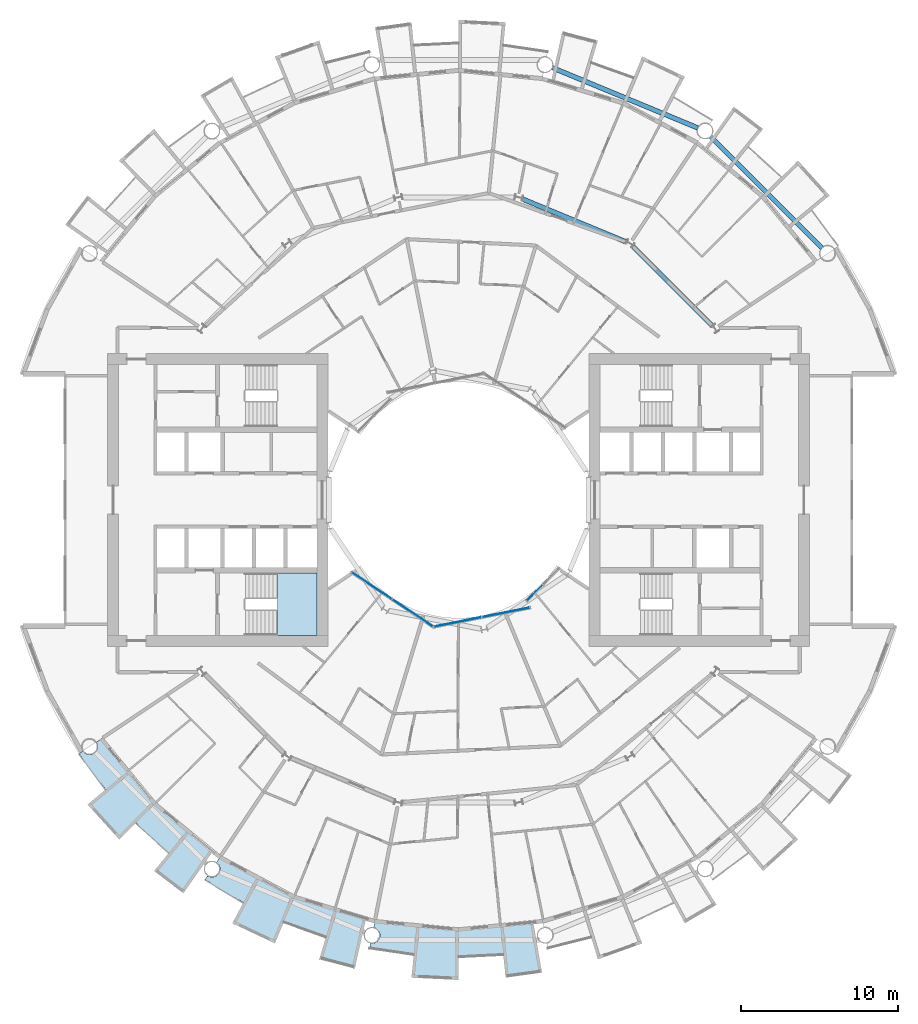
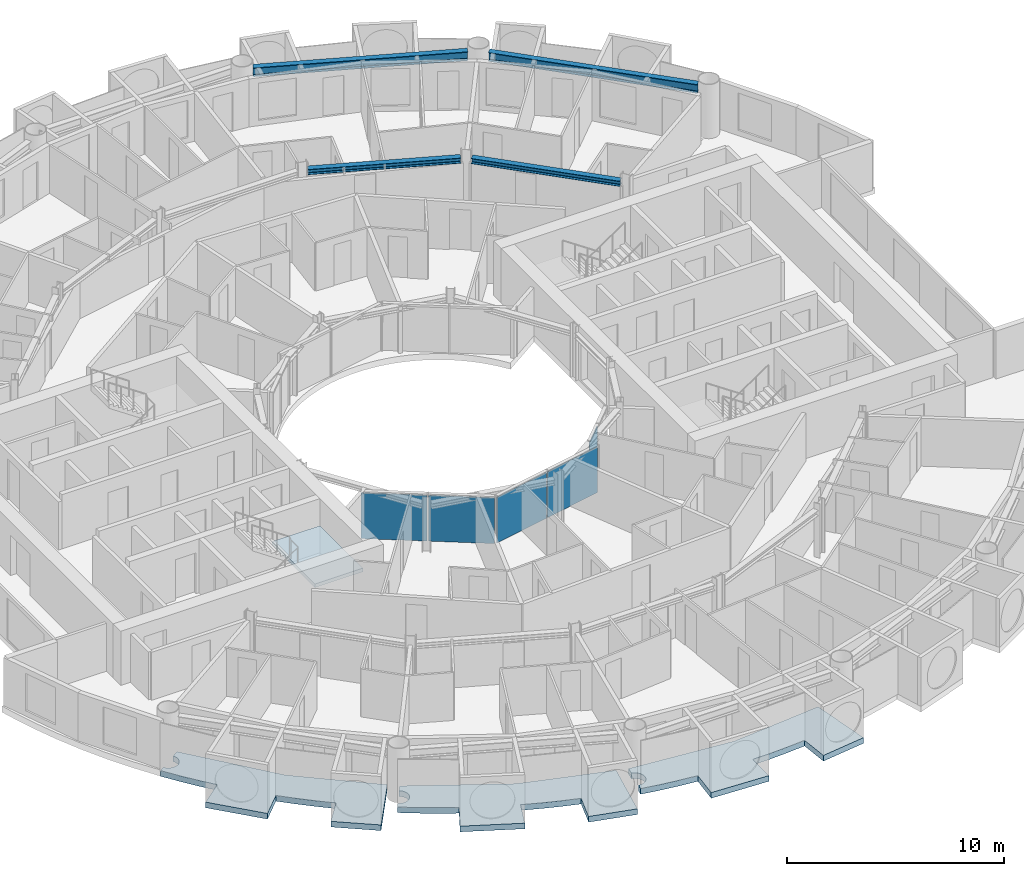
# One storey, part 9 of 26: 5 plates, 4 beams, 4 slabs, 4 elements without a shape of their own.
"""IFC4 building model written with IfcOpenShell, lengths in metres."""

from ifc_helpers import new_model, si_unit, direction, frame, origin, origin_2d, place, context, subcontext, project, spatial, polyline, rectangle, i_section, outline, extrude, material, layer, layer_set, material_profile, profile_set, type_object, element, aggregate, save


model = new_model("IFC4")

# Units and contexts
model_context = context("Model", 3, precision=1e-05, world=origin(), true_north=direction((0.0, 1.0)))
body_context = subcontext(model_context, "Body", "Model", "MODEL_VIEW")
ifc_project = project(units=[si_unit("LENGTHUNIT", "METRE"), si_unit("AREAUNIT", "SQUARE_METRE"), si_unit("VOLUMEUNIT", "CUBIC_METRE"), si_unit("PLANEANGLEUNIT", "RADIAN"), si_unit("MASSUNIT", "GRAM", prefix="KILO")], contexts=[model_context])

# Site, building, storey
site_placement = place(None, origin())
site = spatial("IfcSite", under=ifc_project, at=site_placement, CompositionType="ELEMENT")
building_placement = place(site_placement, origin())
building = spatial("IfcBuilding", under=site, at=building_placement, Name="Maasbend Ring Residences", CompositionType="ELEMENT")
storey_placement = place(building_placement, frame((0.0, 0.0, 63.60009765625)))
storey = spatial("IfcBuildingStorey", under=building, at=storey_placement, Name="L17", CompositionType="ELEMENT", Elevation=63.60009765625)

# Beams
ifc_material_1 = material(Name="Steel S355J2", Category="steel")
ifc_material_profile_1 = material_profile(ifc_material_1, i_section(OverallWidth=0.300048828125, OverallDepth=0.300048828125, WebThickness=0.010986328125, FlangeThickness=0.01904296875, FilletRadius=0.027099609375, at=origin_2d()), Name="HEB 300")
ifc_profile_set_1 = profile_set([ifc_material_profile_1], Name="Steel S355J2")
beam_type_1 = type_object("IfcBeamType", Name="Corridor ring beam HEB 300", PredefinedType="BEAM", material=ifc_profile_set_1)
for number, where, z_axis, x_axis, name in (
    (1, (16.10791015625, 11.078125, 2.5498046875), (-0.707106781187, 0.707106781187, 0.0), (-0.707106781187, -0.707106781187, 0.0), "Corridor ring beam"),
    (2, (10.642333984375, 16.39892578125, 2.5498046875), (-0.923877113721, 0.382689271788, 0.0), (-0.382689271788, -0.923877113721, 0.0), "Corridor ring beam"),
):
    element("IfcBeam", number, at=place(storey_placement, frame(where, z_axis=z_axis, x_axis=x_axis)), inside=storey, type_object=beam_type_1, Name=name, PredefinedType="BEAM", context=body_context, shape_type="SweptSolid", body=[
        extrude(i_section(OverallWidth=0.300048828125, OverallDepth=0.300048828125, WebThickness=0.010986328125, FlangeThickness=0.01904296875, FilletRadius=0.027099609375, at=origin_2d()), origin(), (0.0, 0.0, 1.0), 7.11328125),
    ])
ifc_material_2 = material(Name="Steel S355J2", Category="steel")
ifc_material_profile_2 = material_profile(ifc_material_2, i_section(OverallWidth=0.300048828125, OverallDepth=0.5, WebThickness=0.014404296875, FlangeThickness=0.028076171875, FilletRadius=0.027099609375, at=origin_2d()), Name="HEB 500")
ifc_profile_set_2 = profile_set([ifc_material_profile_2], Name="Steel S355J2")
beam_type_2 = type_object("IfcBeamType", Name="Spandrel ring beam HEB 500", PredefinedType="SPANDREL", material=ifc_profile_set_2)
beam_1_placement = place(storey_placement, frame((23.088134765625, 16.0263671875, 2.449951171875), z_axis=(-0.707106781187, 0.707106781187, 0.0), x_axis=(-0.707106781187, -0.707106781187, 0.0)))
element("IfcBeam", 3, at=beam_1_placement, inside=storey, type_object=beam_type_2, Name="Spandrel ring beam", PredefinedType="SPANDREL", context=body_context, shape_type="SweptSolid", body=[
    extrude(i_section(OverallWidth=0.300048828125, OverallDepth=0.5, WebThickness=0.014404296875, FlangeThickness=0.028076171875, FilletRadius=0.027099609375, at=origin_2d()), origin(), (0.0, 0.0, 1.0), 9.98681640625),
])
beam_2_placement = place(storey_placement, frame((15.19775390625, 23.641845703125, 2.449951171875), z_axis=(-0.923886337442, 0.382667003395, 0.0), x_axis=(-0.382667003395, -0.923886337442, 0.0)))
element("IfcBeam", 4, at=beam_2_placement, inside=storey, type_object=beam_type_2, Name="Spandrel ring beam", PredefinedType="SPANDREL", context=body_context, shape_type="SweptSolid", body=[
    extrude(i_section(OverallWidth=0.300048828125, OverallDepth=0.5, WebThickness=0.014404296875, FlangeThickness=0.028076171875, FilletRadius=0.027099609375, at=origin_2d()), origin(), (0.0, 0.0, 1.0), 9.9873046875),
])

# Stair, slab
ifc_material_3 = material(Name="Concrete C40/50", Category="concrete")
stair_type = type_object("IfcStairType", Name="CORE STAIR 18 RISERS", PredefinedType="HALF_TURN_STAIR", material=ifc_material_3)
stair_placement = place(storey_placement, origin())
stair = element("IfcStair", 5, at=stair_placement, inside=storey, type_object=stair_type, Name="L17 Exit stair ST-W1", PredefinedType="HALF_TURN_STAIR")
ifc_material_4 = material(Name="Concrete C40/50", Category="concrete")
ifc_layer_1 = layer(ifc_material_4, 0.199951171875)
ifc_layer_set_1 = layer_set([ifc_layer_1], Name="Concrete C40/50")
slab_type_1 = type_object("IfcSlabType", Name="CORE STAIR LANDING 200", PredefinedType="LANDING", material=ifc_layer_set_1)
slab_1_placement = place(storey_placement, frame((0.0, 0.0, 1.324951171875)))
slab_1 = element("IfcSlab", 6, at=slab_1_placement, type_object=slab_type_1, Name="ST-W1 landing 1", PredefinedType="LANDING", context=body_context, shape_type="SweptSolid", body=[
    extrude(outline(polyline([(-11.550048828125, -8.60009765625), (-9.0, -8.60009765625), (-9.0, -4.64990234375), (-11.550048828125, -4.64990234375), (-11.550048828125, -8.60009765625)])), origin(), (0.0, 0.0, 1.0), 0.199951171875),
])
aggregate(stair, [slab_1])

# Curtain wall, plates
ifc_material_5 = material(Name="Aluminium and clear glass", Category="aluminium")
ifc_layer_2 = layer(ifc_material_5, 0.179931640625)
ifc_layer_set_2 = layer_set([ifc_layer_2], Name="CW-W")
curtain_wall_type = type_object("IfcCurtainWallType", Name="CW-W", PredefinedType="NOTDEFINED", material=ifc_layer_set_2)
curtain_wall_1_placement = place(storey_placement, origin())
curtain_wall_1 = element("IfcCurtainWall", 7, at=curtain_wall_1_placement, inside=storey, type_object=curtain_wall_type, Name="Well curtain wall S1", PredefinedType="NOTDEFINED")
ifc_material_6 = material(Name="Glass clear laminated", Category="glass")
ifc_layer_3 = layer(ifc_material_6, 0.031982421875)
ifc_layer_set_3 = layer_set([ifc_layer_3], Name="CWP-W")
plate_type = type_object("IfcPlateType", Name="CWP-W", PredefinedType="CURTAIN_PANEL", material=ifc_layer_set_3)
plate_1_placement = place(storey_placement, frame((-5.51123046875, -5.44580078125, -0.000244140625), z_axis=(0.0, 0.0, 1.0), x_axis=(0.831469612303, -0.55557023302, 0.0)))
plate_1 = element("IfcPlate", 8, at=plate_1_placement, type_object=plate_type, Name="Glass panel well face", PredefinedType="CURTAIN_PANEL", context=body_context, shape_type="SweptSolid", body=[
    extrude(rectangle(XDim=3.053955078125, YDim=0.031982421875, at=origin_2d()), origin(), (0.0, 0.0, 1.0), 2.580078125),
])
plate_2_placement = place(storey_placement, frame((-2.922119140625, -7.17578125, -0.000244140625), z_axis=(0.0, 0.0, 1.0), x_axis=(0.831469612303, -0.55557023302, 0.0)))
plate_2 = element("IfcPlate", 9, at=plate_2_placement, type_object=plate_type, Name="Glass panel well face", PredefinedType="CURTAIN_PANEL", context=body_context, shape_type="SweptSolid", body=[
    extrude(rectangle(XDim=3.053955078125, YDim=0.031982421875, at=origin_2d()), origin(), (0.0, 0.0, 1.0), 2.580078125),
])
aggregate(curtain_wall_1, [plate_1, plate_2])

curtain_wall_2_placement = place(storey_placement, origin())
curtain_wall_2 = element("IfcCurtainWall", 10, at=curtain_wall_2_placement, inside=storey, type_object=curtain_wall_type, Name="Well curtain wall S2", PredefinedType="NOTDEFINED")
plate_3_placement = place(storey_placement, frame((-0.04638671875, -7.747802734375, -0.000244140625), z_axis=(0.0, 0.0, 1.0), x_axis=(0.980785280403, 0.195090322016, 0.0)))
plate_3 = element("IfcPlate", 11, at=plate_3_placement, type_object=plate_type, Name="Glass panel well face", PredefinedType="CURTAIN_PANEL", context=body_context, shape_type="SweptSolid", body=[
    extrude(rectangle(XDim=3.053955078125, YDim=0.031982421875, at=origin_2d()), origin(), (0.0, 0.0, 1.0), 2.580078125),
])
plate_4_placement = place(storey_placement, frame((3.0078125, -7.140380859375, -0.000244140625), z_axis=(0.0, 0.0, 1.0), x_axis=(0.980785280403, 0.195090322016, 0.0)))
plate_4 = element("IfcPlate", 12, at=plate_4_placement, type_object=plate_type, Name="Glass panel well face", PredefinedType="CURTAIN_PANEL", context=body_context, shape_type="SweptSolid", body=[
    extrude(rectangle(XDim=3.053955078125, YDim=0.031982421875, at=origin_2d()), origin(), (0.0, 0.0, 1.0), 2.580078125),
])
aggregate(curtain_wall_2, [plate_3, plate_4])

# Curtain wall, plate
curtain_wall_3_placement = place(storey_placement, origin())
curtain_wall_3 = element("IfcCurtainWall", 13, at=curtain_wall_3_placement, inside=storey, type_object=curtain_wall_type, Name="Well curtain wall S3", PredefinedType="NOTDEFINED")
plate_5_placement = place(storey_placement, frame((4.84375, -5.89013671875, -0.000244140625), z_axis=(0.0, 0.0, 1.0), x_axis=(0.707106781187, 0.707106781187, 0.0)))
plate_5 = element("IfcPlate", 14, at=plate_5_placement, type_object=plate_type, Name="Glass panel well face", PredefinedType="CURTAIN_PANEL", context=body_context, shape_type="SweptSolid", body=[
    extrude(rectangle(XDim=1.419677734375, YDim=0.031982421875, at=origin_2d()), origin(), (0.0, 0.0, 1.0), 2.580078125),
])
aggregate(curtain_wall_3, [plate_5])

# Slabs
ifc_material_7 = material(Name="Concrete C40/50", Category="concrete")
ifc_layer_4 = layer(ifc_material_7, 0.199951171875)
ifc_layer_set_4 = layer_set([ifc_layer_4], Name="Concrete C40/50")
slab_type_2 = type_object("IfcSlabType", Name="SL-LOGGIA", PredefinedType="FLOOR", material=ifc_layer_set_4)
slab_2_placement = place(storey_placement, frame((0.0, 0.0, -0.35009765625)))
element("IfcSlab", 15, at=slab_2_placement, inside=storey, type_object=slab_type_2, Name="Loggia floor 1", PredefinedType="FLOOR", context=body_context, shape_type="SweptSolid", body=[
    extrude(outline(polyline([(-15.9169921875, -23.888916015625), (-15.906982421875, -23.89501953125), (-15.89599609375, -23.90087890625), (-15.884033203125, -23.906982421875), (-15.873046875, -23.912109375), (-15.862060546875, -23.9169921875), (-15.85009765625, -23.9208984375), (-15.837890625, -23.926025390625), (-15.825927734375, -23.929931640625), (-15.81494140625, -23.93408203125), (-15.802978515625, -23.93701171875), (-15.791015625, -23.93994140625), (-15.778076171875, -23.943115234375), (-15.76611328125, -23.946044921875), (-15.75390625, -23.947998046875), (-15.741943359375, -23.949951171875), (-15.72900390625, -23.951904296875), (-15.717041015625, -23.952880859375), (-15.7041015625, -23.9541015625), (-15.69189453125, -23.955078125), (-15.679931640625, -23.955078125), (-15.6669921875, -23.955078125), (-15.655029296875, -23.955078125), (-15.64208984375, -23.955078125), (-15.6298828125, -23.9541015625), (-15.616943359375, -23.952880859375), (-15.60498046875, -23.951904296875), (-15.593017578125, -23.949951171875), (-15.580078125, -23.947998046875), (-15.568115234375, -23.946044921875), (-15.555908203125, -23.943115234375), (-15.5439453125, -23.93994140625), (-15.531982421875, -23.93701171875), (-15.52001953125, -23.93408203125), (-15.508056640625, -23.929931640625), (-15.49609375, -23.926025390625), (-15.48388671875, -23.9208984375), (-15.472900390625, -23.9169921875), (-15.4609375, -23.912109375), (-15.449951171875, -23.906982421875), (-15.43896484375, -23.90087890625), (-15.427978515625, -23.89501953125), (-15.4169921875, -23.888916015625), (-15.406005859375, -23.883056640625), (-15.39501953125, -23.876953125), (-15.385009765625, -23.8701171875), (-15.375, -23.863037109375), (-15.364013671875, -23.85498046875), (-15.35498046875, -23.847900390625), (-15.344970703125, -23.840087890625), (-15.3349609375, -23.83203125), (-15.325927734375, -23.823974609375), (-15.31689453125, -23.81494140625), (-15.30810546875, -23.806884765625), (-15.299072265625, -23.798095703125), (-15.291015625, -23.7890625), (-15.281982421875, -23.779052734375), (-15.27392578125, -23.77001953125), (-15.26708984375, -23.760009765625), (-15.259033203125, -23.75), (-15.251953125, -23.739990234375), (-15.2451171875, -23.72998046875), (-15.238037109375, -23.718994140625), (-15.23095703125, -23.708984375), (-15.22509765625, -23.697998046875), (-15.218994140625, -23.68701171875), (-15.212890625, -23.676025390625), (-15.2080078125, -23.6650390625), (-15.202880859375, -23.653076171875), (-15.197998046875, -23.64208984375), (-15.193115234375, -23.6298828125), (-15.18896484375, -23.618896484375), (-15.18505859375, -23.60693359375), (-15.180908203125, -23.594970703125), (-15.177978515625, -23.5830078125), (-15.174072265625, -23.571044921875), (-15.1708984375, -23.55908203125), (-15.1689453125, -23.547119140625), (-15.1669921875, -23.533935546875), (-15.1650390625, -23.52197265625), (-15.1630859375, -23.510009765625), (-15.162109375, -23.4970703125), (-15.159912109375, -23.485107421875), (-15.159912109375, -23.471923828125), (-15.158935546875, -23.4599609375), (-15.158935546875, -23.447021484375), (-15.158935546875, -23.43505859375), (-15.159912109375, -23.422119140625), (-15.159912109375, -23.409912109375), (-15.162109375, -23.39794921875), (-15.1630859375, -23.385009765625), (-15.1650390625, -23.373046875), (-15.1669921875, -23.361083984375), (-15.1689453125, -23.347900390625), (-15.1708984375, -23.3359375), (-15.174072265625, -23.323974609375), (-15.177978515625, -23.31201171875), (-15.180908203125, -23.300048828125), (-15.18505859375, -23.2880859375), (-15.18896484375, -23.27587890625), (-15.193115234375, -23.264892578125), (-15.197998046875, -23.2529296875), (-15.202880859375, -23.241943359375), (-15.2080078125, -23.22998046875), (-15.212890625, -23.218994140625), (-15.218994140625, -23.2080078125), (-15.22509765625, -23.197021484375), (-15.23095703125, -23.18603515625), (-15.238037109375, -23.176025390625), (-15.2451171875, -23.1650390625), (-15.251953125, -23.155029296875), (-15.259033203125, -23.14501953125), (-15.26708984375, -23.135009765625), (-15.27392578125, -23.125), (-15.281982421875, -23.115966796875), (-15.291015625, -23.10595703125), (-15.299072265625, -23.096923828125), (-15.30810546875, -23.087890625), (-15.31689453125, -23.0791015625), (-15.325927734375, -23.071044921875), (-15.3349609375, -23.06298828125), (-15.344970703125, -23.054931640625), (-15.35498046875, -23.047119140625), (-15.364013671875, -23.0390625), (-15.375, -23.031982421875), (-15.385009765625, -23.02490234375), (-15.1669921875, -22.698974609375), (-15.1669921875, -22.698974609375), (-15.1669921875, -22.698974609375), (-12.806884765625, -23.9609375), (-10.447021484375, -25.221923828125), (-10.447021484375, -25.221923828125), (-10.447021484375, -25.221923828125), (-7.886962890625, -25.9990234375), (-5.89111328125, -26.60400390625), (-5.89111328125, -26.60400390625), (-5.89111328125, -26.60400390625), (-6.593994140625, -29.779052734375), (-6.593994140625, -29.779052734375), (-6.593994140625, -29.779052734375), (-8.85400390625, -29.18701171875), (-8.85400390625, -29.18701171875), (-8.85400390625, -29.18701171875), (-8.41796875, -27.751953125), (-8.41796875, -27.751953125), (-8.41796875, -27.751953125), (-8.41796875, -27.751953125), (-8.41796875, -27.751953125), (-8.41796875, -27.751953125), (-8.41796875, -27.7509765625), (-8.41796875, -27.7509765625), (-8.41796875, -27.7509765625), (-8.41796875, -27.7509765625), (-8.41796875, -27.7509765625), (-8.4189453125, -27.7509765625), (-8.4189453125, -27.7509765625), (-8.4189453125, -27.7509765625), (-8.4189453125, -27.7509765625), (-8.4189453125, -27.7509765625), (-8.4189453125, -27.7509765625), (-9.322021484375, -27.4609375), (-9.322021484375, -27.4609375), (-10.215087890625, -27.14111328125), (-10.215087890625, -27.14111328125), (-11.096923828125, -26.79296875), (-11.096923828125, -26.79296875), (-11.096923828125, -26.79296875), (-11.097900390625, -26.79296875), (-11.097900390625, -26.79296875), (-11.097900390625, -26.79296875), (-11.097900390625, -26.79296875), (-11.097900390625, -26.79296875), (-11.097900390625, -26.79296875), (-11.097900390625, -26.79296875), (-11.097900390625, -26.79296875), (-11.097900390625, -26.79296875), (-11.097900390625, -26.79296875), (-11.097900390625, -26.79296875), (-11.097900390625, -26.79296875), (-11.097900390625, -26.79296875), (-11.097900390625, -26.79296875), (-11.672119140625, -28.177978515625), (-11.672119140625, -28.177978515625), (-11.672119140625, -28.177978515625), (-14.3779296875, -26.89892578125), (-14.3779296875, -26.89892578125), (-14.3779296875, -26.89892578125), (-13.6708984375, -25.575927734375), (-13.6708984375, -25.575927734375), (-13.6708984375, -25.575927734375), (-13.6708984375, -25.575927734375), (-13.6708984375, -25.575927734375), (-13.6708984375, -25.575927734375), (-13.6708984375, -25.575927734375), (-13.6708984375, -25.575927734375), (-13.6708984375, -25.575927734375), (-13.6708984375, -25.575927734375), (-13.6708984375, -25.575927734375), (-13.6708984375, -25.575927734375), (-13.6708984375, -25.575927734375), (-13.6708984375, -25.575927734375), (-13.6708984375, -25.575927734375), (-13.6708984375, -25.575927734375), (-13.6708984375, -25.574951171875), (-14.5, -25.114990234375), (-14.5, -25.114990234375), (-15.31396484375, -24.626953125), (-15.31396484375, -24.626953125), (-16.112060546875, -24.113037109375), (-16.112060546875, -24.113037109375), (-16.112060546875, -24.113037109375), (-15.948974609375, -23.8701171875), (-15.93896484375, -23.876953125), (-15.927978515625, -23.883056640625), (-15.9169921875, -23.888916015625)])), origin(), (0.0, 0.0, 1.0), 0.320068359375),
])
slab_3_placement = place(storey_placement, frame((0.0, 0.0, -0.35009765625)))
element("IfcSlab", 16, at=slab_3_placement, inside=storey, type_object=slab_type_2, Name="Loggia floor 3", PredefinedType="FLOOR", context=body_context, shape_type="SweptSolid", body=[
    extrude(outline(polyline([(-2.6630859375, -27.0380859375), (0.0, -27.300048828125), (0.0, -27.300048828125), (0.0, -27.300048828125), (2.6630859375, -27.0380859375), (4.739013671875, -26.8330078125), (4.739013671875, -26.8330078125), (4.739013671875, -26.8330078125), (5.303955078125, -30.034912109375), (5.303955078125, -30.034912109375), (5.303955078125, -30.034912109375), (2.989990234375, -30.35302734375), (2.989990234375, -30.35302734375), (2.989990234375, -30.35302734375), (2.843017578125, -28.861083984375), (2.843017578125, -28.861083984375), (2.843017578125, -28.861083984375), (2.843017578125, -28.861083984375), (2.842041015625, -28.861083984375), (2.842041015625, -28.861083984375), (2.842041015625, -28.861083984375), (2.842041015625, -28.861083984375), (2.842041015625, -28.861083984375), (2.842041015625, -28.860107421875), (2.842041015625, -28.860107421875), (2.842041015625, -28.860107421875), (2.842041015625, -28.860107421875), (2.842041015625, -28.860107421875), (2.842041015625, -28.860107421875), (2.842041015625, -28.860107421875), (2.842041015625, -28.860107421875), (1.89697265625, -28.93798828125), (1.89697265625, -28.93798828125), (0.948974609375, -28.98388671875), (0.948974609375, -28.98388671875), (0.0, -29.0), (0.0, -29.0), (0.0, -29.0), (0.0, -29.0), (0.0, -29.0), (0.0, -29.0), (0.0, -29.0), (0.0, -29.0), (0.0, -29.0), (0.0, -29.0), (0.0, -29.0), (0.0, -29.0), (0.0, -29.0), (0.0, -29.0), (0.0, -29.0), (0.0, -29.0), (0.0, -29.0), (0.0, -30.5), (0.0, -30.5), (0.0, -30.5), (-2.989990234375, -30.35302734375), (-2.989990234375, -30.35302734375), (-2.989990234375, -30.35302734375), (-2.843017578125, -28.861083984375), (-2.843017578125, -28.861083984375), (-2.843017578125, -28.861083984375), (-2.843017578125, -28.861083984375), (-2.843017578125, -28.861083984375), (-2.843017578125, -28.861083984375), (-2.843017578125, -28.861083984375), (-2.843017578125, -28.861083984375), (-2.843017578125, -28.860107421875), (-2.843017578125, -28.860107421875), (-2.843017578125, -28.860107421875), (-2.843017578125, -28.860107421875), (-2.843017578125, -28.860107421875), (-2.843017578125, -28.860107421875), (-2.843017578125, -28.860107421875), (-2.843017578125, -28.860107421875), (-2.843017578125, -28.860107421875), (-3.784912109375, -28.751953125), (-3.784912109375, -28.751953125), (-4.72412109375, -28.613037109375), (-4.72412109375, -28.613037109375), (-5.657958984375, -28.443115234375), (-5.657958984375, -28.443115234375), (-5.657958984375, -28.443115234375), (-5.60107421875, -28.156005859375), (-5.60107421875, -28.156005859375), (-5.587890625, -28.158935546875), (-5.575927734375, -28.160888671875), (-5.56396484375, -28.162109375), (-5.551025390625, -28.1640625), (-5.5390625, -28.1650390625), (-5.52587890625, -28.1650390625), (-5.513916015625, -28.166015625), (-5.501953125, -28.166015625), (-5.489013671875, -28.166015625), (-5.47705078125, -28.1650390625), (-5.464111328125, -28.1650390625), (-5.451904296875, -28.1640625), (-5.43896484375, -28.162109375), (-5.427001953125, -28.160888671875), (-5.4150390625, -28.158935546875), (-5.402099609375, -28.156005859375), (-5.389892578125, -28.154052734375), (-5.3779296875, -28.15087890625), (-5.365966796875, -28.14794921875), (-5.35400390625, -28.14404296875), (-5.342041015625, -28.139892578125), (-5.330078125, -28.135986328125), (-5.319091796875, -28.132080078125), (-5.306884765625, -28.126953125), (-5.2958984375, -28.123046875), (-5.283935546875, -28.116943359375), (-5.27294921875, -28.112060546875), (-5.261962890625, -28.10595703125), (-5.2509765625, -28.10009765625), (-5.239990234375, -28.093994140625), (-5.22998046875, -28.0869140625), (-5.218994140625, -28.080078125), (-5.208984375, -28.072998046875), (-5.198974609375, -28.06591796875), (-5.18896484375, -28.05908203125), (-5.178955078125, -28.051025390625), (-5.169921875, -28.04296875), (-5.159912109375, -28.034912109375), (-5.15087890625, -28.02587890625), (-5.14208984375, -28.01708984375), (-5.134033203125, -28.008056640625), (-5.125, -27.9990234375), (-5.116943359375, -27.989990234375), (-5.10888671875, -27.97998046875), (-5.10107421875, -27.970947265625), (-5.093017578125, -27.9609375), (-5.0859375, -27.950927734375), (-5.0791015625, -27.93994140625), (-5.072021484375, -27.929931640625), (-5.06591796875, -27.9189453125), (-5.05908203125, -27.907958984375), (-5.052978515625, -27.89794921875), (-5.048095703125, -27.886962890625), (-5.0419921875, -27.875), (-5.037109375, -27.864013671875), (-5.031982421875, -27.85302734375), (-5.028076171875, -27.841064453125), (-5.02294921875, -27.8291015625), (-5.01904296875, -27.81689453125), (-5.014892578125, -27.805908203125), (-5.011962890625, -27.7939453125), (-5.009033203125, -27.781982421875), (-5.006103515625, -27.76904296875), (-5.0029296875, -27.757080078125), (-5.0009765625, -27.7451171875), (-4.9990234375, -27.73291015625), (-4.9970703125, -27.719970703125), (-4.99609375, -27.7080078125), (-4.9951171875, -27.695068359375), (-4.993896484375, -27.68310546875), (-4.993896484375, -27.6708984375), (-4.993896484375, -27.657958984375), (-4.993896484375, -27.64599609375), (-4.993896484375, -27.633056640625), (-4.9951171875, -27.62109375), (-4.99609375, -27.60791015625), (-4.9970703125, -27.595947265625), (-4.9990234375, -27.583984375), (-5.0009765625, -27.571044921875), (-5.0029296875, -27.55908203125), (-5.006103515625, -27.547119140625), (-5.009033203125, -27.534912109375), (-5.011962890625, -27.52294921875), (-5.014892578125, -27.510986328125), (-5.01904296875, -27.4990234375), (-5.02294921875, -27.487060546875), (-5.028076171875, -27.47509765625), (-5.031982421875, -27.464111328125), (-5.037109375, -27.451904296875), (-5.0419921875, -27.44091796875), (-5.048095703125, -27.429931640625), (-5.052978515625, -27.4189453125), (-5.05908203125, -27.407958984375), (-5.06591796875, -27.39697265625), (-5.072021484375, -27.385986328125), (-5.0791015625, -27.3759765625), (-5.0859375, -27.365966796875), (-5.093017578125, -27.35498046875), (-5.10107421875, -27.345947265625), (-5.10888671875, -27.3359375), (-5.116943359375, -27.325927734375), (-5.125, -27.31689453125), (-5.134033203125, -27.30810546875), (-5.14208984375, -27.299072265625), (-5.15087890625, -27.2900390625), (-5.159912109375, -27.281982421875), (-5.169921875, -27.27294921875), (-5.178955078125, -27.264892578125), (-5.18896484375, -27.258056640625), (-5.198974609375, -27.25), (-5.208984375, -27.242919921875), (-5.218994140625, -27.236083984375), (-5.22998046875, -27.22900390625), (-5.239990234375, -27.221923828125), (-5.2509765625, -27.216064453125), (-5.261962890625, -27.2099609375), (-5.27294921875, -27.2041015625), (-5.283935546875, -27.198974609375), (-5.2958984375, -27.194091796875), (-5.306884765625, -27.18896484375), (-5.319091796875, -27.18408203125), (-5.330078125, -27.179931640625), (-5.342041015625, -27.176025390625), (-5.35400390625, -27.172119140625), (-5.365966796875, -27.1689453125), (-5.3779296875, -27.1650390625), (-5.389892578125, -27.162109375), (-5.402099609375, -27.159912109375), (-5.402099609375, -27.159912109375), (-5.325927734375, -26.77490234375), (-5.325927734375, -26.77490234375), (-5.325927734375, -26.77490234375), (-2.6630859375, -27.0380859375)])), origin(), (0.0, 0.0, 1.0), 0.320068359375),
])
slab_4_placement = place(storey_placement, frame((0.0, 0.0, -0.35009765625)))
element("IfcSlab", 17, at=slab_4_placement, inside=storey, type_object=slab_type_2, Name="Loggia floor 4", PredefinedType="FLOOR", context=body_context, shape_type="SweptSolid", body=[
    extrude(outline(polyline([(-23.85498046875, -15.969970703125), (-23.847900390625, -15.97998046875), (-23.840087890625, -15.989013671875), (-23.83203125, -15.9990234375), (-23.823974609375, -16.008056640625), (-23.81494140625, -16.01708984375), (-23.806884765625, -16.02587890625), (-23.798095703125, -16.034912109375), (-23.7890625, -16.0439453125), (-23.779052734375, -16.052001953125), (-23.77001953125, -16.06005859375), (-23.760009765625, -16.068115234375), (-23.75, -16.074951171875), (-23.739990234375, -16.08203125), (-23.72998046875, -16.089111328125), (-23.718994140625, -16.095947265625), (-23.708984375, -16.10302734375), (-23.697998046875, -16.10888671875), (-23.68701171875, -16.114990234375), (-23.676025390625, -16.12109375), (-23.6650390625, -16.1259765625), (-23.653076171875, -16.132080078125), (-23.64208984375, -16.135986328125), (-23.6298828125, -16.14111328125), (-23.618896484375, -16.14501953125), (-23.60693359375, -16.14892578125), (-23.594970703125, -16.153076171875), (-23.5830078125, -16.156982421875), (-23.571044921875, -16.159912109375), (-23.55908203125, -16.1630859375), (-23.547119140625, -16.1650390625), (-23.533935546875, -16.16796875), (-23.52197265625, -16.169921875), (-23.510009765625, -16.1708984375), (-23.4970703125, -16.173095703125), (-23.485107421875, -16.174072265625), (-23.471923828125, -16.174072265625), (-23.4599609375, -16.175048828125), (-23.447021484375, -16.175048828125), (-23.43505859375, -16.175048828125), (-23.422119140625, -16.174072265625), (-23.409912109375, -16.174072265625), (-23.39794921875, -16.173095703125), (-23.385009765625, -16.1708984375), (-23.373046875, -16.169921875), (-23.361083984375, -16.16796875), (-23.347900390625, -16.1650390625), (-23.3359375, -16.1630859375), (-23.323974609375, -16.159912109375), (-23.31201171875, -16.156982421875), (-23.300048828125, -16.153076171875), (-23.2880859375, -16.14892578125), (-23.27587890625, -16.14501953125), (-23.264892578125, -16.14111328125), (-23.2529296875, -16.135986328125), (-23.241943359375, -16.132080078125), (-23.22998046875, -16.1259765625), (-23.218994140625, -16.12109375), (-23.2080078125, -16.114990234375), (-23.197021484375, -16.10888671875), (-23.18603515625, -16.10302734375), (-23.176025390625, -16.095947265625), (-23.1650390625, -16.089111328125), (-23.155029296875, -16.08203125), (-23.14501953125, -16.074951171875), (-23.135009765625, -16.068115234375), (-23.125, -16.06005859375), (-23.115966796875, -16.052001953125), (-23.10595703125, -16.0439453125), (-23.096923828125, -16.034912109375), (-23.087890625, -16.02587890625), (-23.0791015625, -16.01708984375), (-23.071044921875, -16.008056640625), (-23.06298828125, -15.9990234375), (-23.054931640625, -15.989013671875), (-23.047119140625, -15.97998046875), (-23.0390625, -15.969970703125), (-23.031982421875, -15.9599609375), (-23.02490234375, -15.948974609375), (-23.01806640625, -15.93896484375), (-23.011962890625, -15.927978515625), (-23.0048828125, -15.9169921875), (-22.9990234375, -15.906982421875), (-22.993896484375, -15.89599609375), (-22.988037109375, -15.884033203125), (-22.98291015625, -15.873046875), (-22.97802734375, -15.862060546875), (-22.972900390625, -15.85009765625), (-22.968994140625, -15.837890625), (-22.965087890625, -15.825927734375), (-22.9609375, -15.81494140625), (-22.9580078125, -15.802978515625), (-22.955078125, -15.791015625), (-22.951904296875, -15.778076171875), (-22.948974609375, -15.76611328125), (-22.947021484375, -15.75390625), (-22.945068359375, -15.741943359375), (-22.943115234375, -15.72900390625), (-22.94189453125, -15.717041015625), (-22.94091796875, -15.7041015625), (-22.93994140625, -15.69189453125), (-22.93994140625, -15.679931640625), (-22.93896484375, -15.6669921875), (-22.93994140625, -15.655029296875), (-22.93994140625, -15.64208984375), (-22.94091796875, -15.6298828125), (-22.94189453125, -15.616943359375), (-22.943115234375, -15.60498046875), (-22.945068359375, -15.593017578125), (-22.947021484375, -15.580078125), (-22.948974609375, -15.568115234375), (-22.951904296875, -15.555908203125), (-22.955078125, -15.5439453125), (-22.9580078125, -15.531982421875), (-22.9609375, -15.52001953125), (-22.965087890625, -15.508056640625), (-22.968994140625, -15.49609375), (-22.972900390625, -15.48388671875), (-22.97802734375, -15.472900390625), (-22.98291015625, -15.4609375), (-22.988037109375, -15.449951171875), (-22.993896484375, -15.43896484375), (-22.9990234375, -15.427978515625), (-23.0048828125, -15.4169921875), (-23.011962890625, -15.406005859375), (-23.01806640625, -15.39501953125), (-23.02490234375, -15.385009765625), (-23.02490234375, -15.385009765625), (-22.698974609375, -15.1669921875), (-22.698974609375, -15.1669921875), (-22.698974609375, -15.1669921875), (-21.001953125, -17.236083984375), (-19.303955078125, -19.303955078125), (-19.303955078125, -19.303955078125), (-19.303955078125, -19.303955078125), (-17.236083984375, -21.001953125), (-15.623046875, -22.324951171875), (-15.623046875, -22.324951171875), (-15.623046875, -22.324951171875), (-17.488037109375, -24.989013671875), (-17.488037109375, -24.989013671875), (-17.488037109375, -24.989013671875), (-19.34912109375, -23.576904296875), (-19.34912109375, -23.576904296875), (-19.34912109375, -23.576904296875), (-18.39794921875, -22.41796875), (-18.39794921875, -22.41796875), (-18.39794921875, -22.41796875), (-18.39794921875, -22.41796875), (-18.39794921875, -22.41796875), (-18.39794921875, -22.4169921875), (-18.39794921875, -22.4169921875), (-18.39794921875, -22.4169921875), (-18.39794921875, -22.4169921875), (-18.39794921875, -22.4169921875), (-18.39794921875, -22.4169921875), (-18.39794921875, -22.4169921875), (-18.39794921875, -22.4169921875), (-18.39794921875, -22.4169921875), (-18.39794921875, -22.4169921875), (-18.39794921875, -22.4169921875), (-18.39794921875, -22.4169921875), (-19.12109375, -21.802978515625), (-19.12109375, -21.802978515625), (-19.823974609375, -21.166015625), (-19.823974609375, -21.166015625), (-20.506103515625, -20.506103515625), (-20.506103515625, -20.506103515625), (-20.506103515625, -20.506103515625), (-20.506103515625, -20.506103515625), (-20.506103515625, -20.506103515625), (-20.506103515625, -20.506103515625), (-20.506103515625, -20.506103515625), (-20.506103515625, -20.506103515625), (-20.506103515625, -20.506103515625), (-20.506103515625, -20.506103515625), (-20.506103515625, -20.506103515625), (-20.506103515625, -20.506103515625), (-20.506103515625, -20.506103515625), (-20.506103515625, -20.506103515625), (-20.506103515625, -20.506103515625), (-20.506103515625, -20.506103515625), (-20.506103515625, -20.506103515625), (-21.56689453125, -21.56689453125), (-21.56689453125, -21.56689453125), (-21.56689453125, -21.56689453125), (-23.576904296875, -19.34912109375), (-23.576904296875, -19.34912109375), (-23.576904296875, -19.34912109375), (-22.41796875, -18.39794921875), (-22.41796875, -18.39794921875), (-22.41796875, -18.39794921875), (-22.41796875, -18.39794921875), (-22.41796875, -18.39794921875), (-22.41796875, -18.39794921875), (-22.41796875, -18.39697265625), (-22.41796875, -18.39697265625), (-22.41796875, -18.39697265625), (-22.41796875, -18.39697265625), (-22.41796875, -18.39697265625), (-22.41796875, -18.39697265625), (-22.41796875, -18.39697265625), (-22.41796875, -18.39697265625), (-22.41796875, -18.39697265625), (-22.41796875, -18.39697265625), (-22.41796875, -18.39697265625), (-23.007080078125, -17.654052734375), (-23.007080078125, -17.654052734375), (-23.572998046875, -16.89208984375), (-23.572998046875, -16.89208984375), (-24.113037109375, -16.112060546875), (-24.113037109375, -16.112060546875), (-24.113037109375, -16.112060546875), (-23.8701171875, -15.948974609375), (-23.8701171875, -15.948974609375), (-23.863037109375, -15.9599609375), (-23.85498046875, -15.969970703125)])), origin(), (0.0, 0.0, 1.0), 0.320068359375),
])

save(model, "model.ifc")
